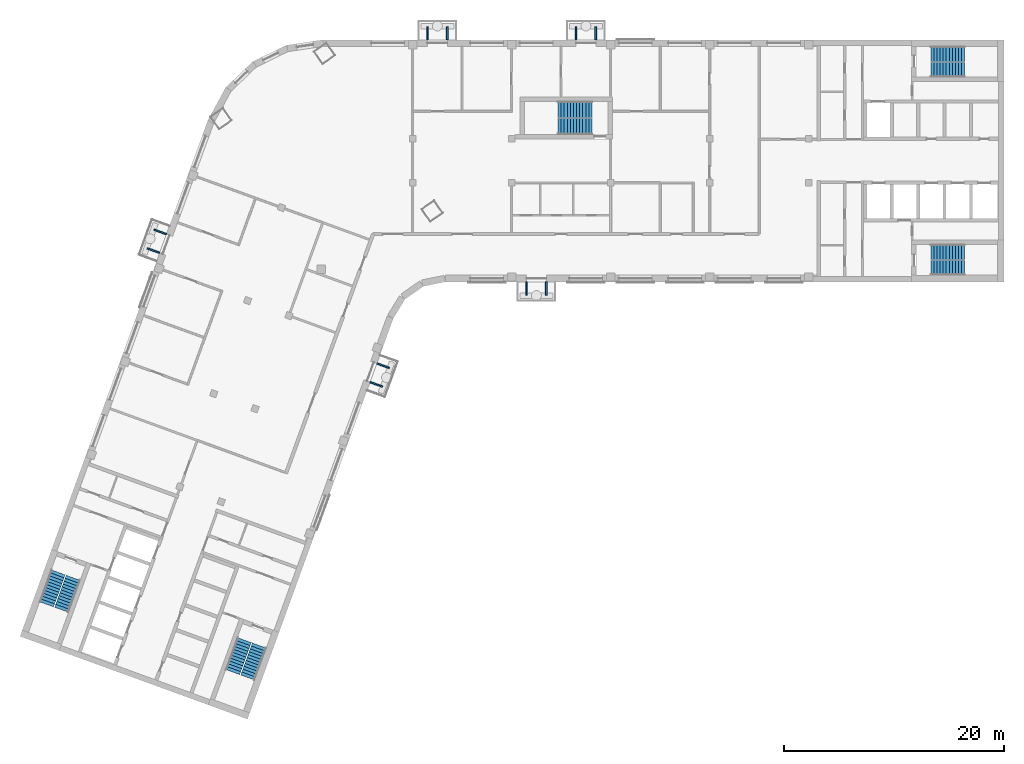
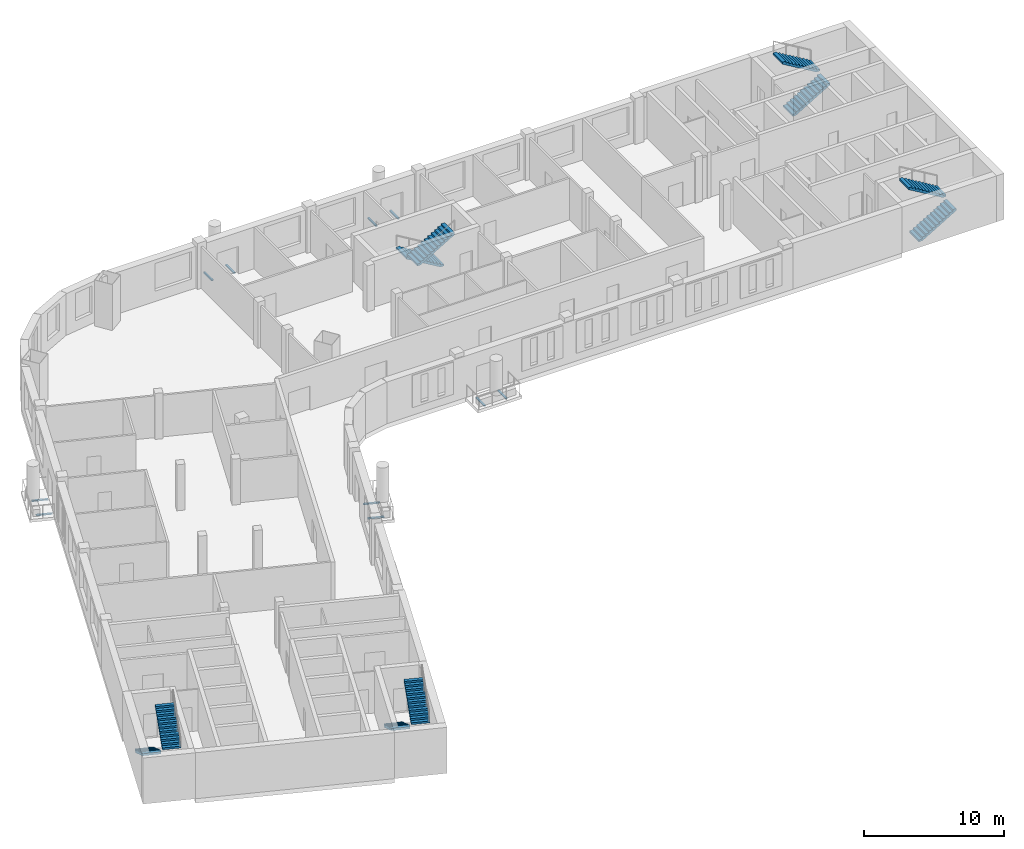
# One storey, part 7 of 10: 10 discrete accessories, 10 stair flights, 5 elements without a shape of their own.
"""IFC4 building model written with IfcOpenShell, lengths in metres."""

import ifcopenshell
import ifcopenshell.guid

model = None  # the IFC model being written
_history = None  # IfcOwnerHistory: only IFC2X3 demands one
_inside = {}  # id of a spatial element -> (the spatial element, [elements in it])
_under = {}  # id of a project, library or spatial element -> (it, [spatial elements below it])
_declared = {}  # id of a project -> (the project, [libraries it declares])
_typed = {}  # id of a type object -> (the type object, [elements of that type])
_made_of = {}  # id of a material, layer set ... -> (it, [elements and type objects made of it])


def new_model(schema):
    """Start an empty IFC model of exactly this schema.

    Asked for "IFC4X3", IfcOpenShell would pick the latest addendum, in which some entities
    have other attributes; the version numbers below select the first issue.
    IFC2X3 requires an IfcOwnerHistory on every rooted entity: one is made here for all.
    """
    global model, _history
    if schema == "IFC4X3":
        model = ifcopenshell.file(schema_version=(4, 3, 0, 0))
    else:
        model = ifcopenshell.file(schema=schema)
    _inside.clear()
    _under.clear()
    _declared.clear()
    _typed.clear()
    _made_of.clear()
    _history = None
    if model.schema == "IFC2X3":
        org = make("IfcOrganization", Name="unknown")
        user = make(
            "IfcPersonAndOrganization",
            ThePerson=make("IfcPerson", FamilyName="unknown"),
            TheOrganization=org,
        )
        app = make(
            "IfcApplication",
            ApplicationDeveloper=org,
            Version="unknown",
            ApplicationFullName="unknown",
            ApplicationIdentifier="unknown",
        )
        _history = make(
            "IfcOwnerHistory",
            OwningUser=user,
            OwningApplication=app,
            ChangeAction="ADDED",
            CreationDate=0,
        )
    return model


def make(cls, **values):
    """One entity of the class cls with the attributes given. An attribute that is None is left unset."""
    return model.create_entity(
        cls, **{name: value for name, value in values.items() if value is not None}
    )


def rooted(cls, **values):
    """An entity with a GlobalId (a new one), such as an element, a storey or a relation."""
    return make(cls, GlobalId=ifcopenshell.guid.new(), OwnerHistory=_history, **values)


def si_unit(unit_type, name, prefix=None):
    """IfcSIUnit, for example si_unit("LENGTHUNIT", "METRE", prefix="MILLI")."""
    return make("IfcSIUnit", UnitType=unit_type, Prefix=prefix, Name=name)


def assignment(units):
    """IfcUnitAssignment: the units of a project."""
    return None if units is None else make("IfcUnitAssignment", Units=units)


def point(xyz):
    """IfcCartesianPoint."""
    return None if xyz is None else make("IfcCartesianPoint", Coordinates=xyz)


def direction(xyz):
    """IfcDirection."""
    return None if xyz is None else make("IfcDirection", DirectionRatios=xyz)


def frame(location, z_axis=None, x_axis=None):
    """IfcAxis2Placement3D, a coordinate frame: its origin and axes. An axis left out is left unset."""
    return make(
        "IfcAxis2Placement3D",
        Location=point(location),
        Axis=direction(z_axis),
        RefDirection=direction(x_axis),
    )


def frame_2d(location, x_axis=None):
    """IfcAxis2Placement2D, a coordinate frame in the plane: its origin and x axis."""
    return make(
        "IfcAxis2Placement2D", Location=point(location), RefDirection=direction(x_axis)
    )


def origin():
    """The frame at (0, 0, 0) with its axes left unset."""
    return frame((0.0, 0.0, 0.0))


def origin_2d():
    """The frame at (0, 0) in the plane with its x axis left unset."""
    return frame_2d((0.0, 0.0))


def place(relative_to, where):
    """IfcLocalPlacement: puts the frame where relative to a parent placement (None: the world)."""
    return make(
        "IfcLocalPlacement", PlacementRelTo=relative_to, RelativePlacement=where
    )


def context(
    kind, dimensions, precision=None, world=None, true_north=None, identifier=None
):
    """IfcGeometricRepresentationContext, for example the 3D "Model" context."""
    return make(
        "IfcGeometricRepresentationContext",
        ContextIdentifier=identifier,
        ContextType=kind,
        CoordinateSpaceDimension=dimensions,
        Precision=precision,
        WorldCoordinateSystem=world,
        TrueNorth=true_north,
    )


def subcontext(parent, identifier, kind, view, scale=None):
    """IfcGeometricRepresentationSubContext, for example "Body" below "Model"."""
    return make(
        "IfcGeometricRepresentationSubContext",
        ContextIdentifier=identifier,
        ContextType=kind,
        ParentContext=parent,
        TargetScale=scale,
        TargetView=view,
    )


def project(units=None, contexts=None):
    """IfcProject with its units and contexts."""
    return rooted(
        "IfcProject",
        Name="project",
        RepresentationContexts=contexts,
        UnitsInContext=assignment(units),
    )


def spatial(cls, under=None, at=None, **own):
    """A site, building, storey or space (cls), placed at a placement, below another one or the project."""
    s = rooted(cls, ObjectPlacement=at, **own)
    if under is not None:
        _under.setdefault(under.id(), (under, []))[1].append(s)
    return s


def polyline(points):
    """IfcPolyline through the points."""
    return make("IfcPolyline", Points=[point(p) for p in points])


def profile(cls, at=None, kind="AREA", **sizes):
    """A parametric profile (cls). Its sizes go by their IFC names, for example OverallWidth=200.0."""
    return make(cls, ProfileType=kind, Position=at, **sizes)


def rectangle(**sizes):
    """IfcRectangleProfileDef."""
    return profile("IfcRectangleProfileDef", **sizes)


def outline(outer, holes=None, kind="AREA"):
    """IfcArbitraryClosedProfileDef: a profile drawn as a closed curve; with holes, ...WithVoids."""
    if holes is None:
        return make("IfcArbitraryClosedProfileDef", ProfileType=kind, OuterCurve=outer)
    return make(
        "IfcArbitraryProfileDefWithVoids",
        ProfileType=kind,
        OuterCurve=outer,
        InnerCurves=holes,
    )


def extrude(swept, where, along, depth):
    """IfcExtrudedAreaSolid: the profile swept, set in the frame where, extruded along a direction by depth."""
    return make(
        "IfcExtrudedAreaSolid",
        SweptArea=swept,
        Position=where,
        ExtrudedDirection=direction(along),
        Depth=depth,
    )


def shape(context_of_items, identifier, shape_type, items):
    """IfcShapeRepresentation: the items that make up one representation, for example the "Body"."""
    return make(
        "IfcShapeRepresentation",
        ContextOfItems=context_of_items,
        RepresentationIdentifier=identifier,
        RepresentationType=shape_type,
        Items=items,
    )


def material(Name=None, Category=None):
    """IfcMaterial."""
    return make("IfcMaterial", Name=Name, Category=Category)


def made_of(thing, what):
    """Note that an element or type object is made of a material, layer set ...; save() writes the relation."""
    if what is not None:
        _made_of.setdefault(what.id(), (what, []))[1].append(thing)
    return thing


def type_object(cls, material=None, **own):
    """A type object (cls), such as IfcWallType, which elements share."""
    return made_of(rooted(cls, **own), material)


def element(
    cls,
    number,
    at=None,
    inside=None,
    cuts=None,
    type_object=None,
    material=None,
    context=None,
    identifier="Body",
    shape_type=None,
    held_by="IfcProductDefinitionShape",
    body=None,
    shapes=None,
    **own,
):
    """One element of the class cls, such as IfcWall. Its Tag is "e" and its number.

    at: its placement. inside: the storey or other place that contains it. cuts: it is an
    opening in that element (IfcRelVoidsElement). A single representation is given by context,
    identifier, shape_type and body (its items); several are given by shapes. held_by: the class
    of the entity that holds the representations. save() writes the other relations.
    """
    e = rooted(cls, Tag="e%d" % number, ObjectPlacement=at, **own)
    if body is not None:
        shapes = [shape(context, identifier, shape_type, body)]
    if shapes is not None:
        e.Representation = make(held_by, Representations=shapes)
    if inside is not None:
        _inside.setdefault(inside.id(), (inside, []))[1].append(e)
    if cuts is not None:
        rooted(
            "IfcRelVoidsElement", RelatingBuildingElement=cuts, RelatedOpeningElement=e
        )
    if type_object is not None:
        _typed.setdefault(type_object.id(), (type_object, []))[1].append(e)
    return made_of(e, material)


def aggregate(whole, parts):
    """IfcRelAggregates: a whole, such as a stair, and the parts it consists of."""
    return rooted("IfcRelAggregates", RelatingObject=whole, RelatedObjects=parts)


def save(model, path):
    """Write the relations noted so far, then the file.

    IfcRelAggregates (storeys below a building ...), IfcRelContainedInSpatialStructure (elements
    in a storey), IfcRelDefinesByType, IfcRelAssociatesMaterial and IfcRelDeclares: one each for
    every whole, place, type object, material and project.
    """
    for whole, parts in _under.values():
        aggregate(whole, parts)
    for where, things in _inside.values():
        rooted(
            "IfcRelContainedInSpatialStructure",
            RelatedElements=things,
            RelatingStructure=where,
        )
    for kind, things in _typed.values():
        rooted("IfcRelDefinesByType", RelatedObjects=things, RelatingType=kind)
    for what, things in _made_of.values():
        rooted("IfcRelAssociatesMaterial", RelatedObjects=things, RelatingMaterial=what)
    for by, libraries in _declared.values():
        rooted("IfcRelDeclares", RelatingContext=by, RelatedDefinitions=libraries)
    model.write(path)


model = new_model("IFC4")

# Units and contexts
model_context = context("Model", 3, precision=1e-05, world=origin(), true_north=direction((0.0, 1.0)))
body_context = subcontext(model_context, "Body", "Model", "MODEL_VIEW")
ifc_project = project(units=[si_unit("LENGTHUNIT", "METRE"), si_unit("AREAUNIT", "SQUARE_METRE"), si_unit("VOLUMEUNIT", "CUBIC_METRE"), si_unit("PLANEANGLEUNIT", "RADIAN"), si_unit("MASSUNIT", "GRAM", prefix="KILO")], contexts=[model_context])

# Site, building, storey
site_placement = place(None, origin())
site = spatial("IfcSite", under=ifc_project, at=site_placement, CompositionType="ELEMENT")
building_placement = place(site_placement, origin())
building = spatial("IfcBuilding", under=site, at=building_placement, Name="Skarvind Civic Tower", CompositionType="ELEMENT")
storey_placement = place(building_placement, frame((0.0, 0.0, 228.0)))
storey = spatial("IfcBuildingStorey", under=building, at=storey_placement, Name="L54", CompositionType="ELEMENT", Elevation=228.0)

# Stair, stair flights
ifc_material = material(Name="Concrete C40/50", Category="concrete")
stair_type_1 = type_object("IfcStairType", Name="Exit stair 1450, half-turn, concrete", PredefinedType="HALF_TURN_STAIR", material=ifc_material)
stair_1_placement = place(storey_placement, origin())
stair_1 = element("IfcStair", 1, at=stair_1_placement, inside=storey, type_object=stair_type_1, Name="Exit stair CM", PredefinedType="HALF_TURN_STAIR")
stair_flight_type_1 = type_object("IfcStairFlightType", Name="Stair flight 1450, concrete", PredefinedType="STRAIGHT", material=ifc_material)
stair_flight_1_placement = place(storey_placement, frame((70.550048828125, 132.675048828125, 0.0), z_axis=(0.0, 0.0, 1.0), x_axis=(-1.0, 0.0, 0.0)))
stair_flight_1 = element("IfcStairFlight", 2, at=stair_flight_1_placement, type_object=stair_flight_type_1, Name="ST-CM flight 1", NumberOfRisers=12, NumberOfTreads=11, PredefinedType="STRAIGHT", RiserHeight=0.166666667, TreadLength=0.28, context=body_context, shape_type="SweptSolid", body=[
    extrude(outline(polyline([(0.0, 0.0), (0.0, 0.166748046875), (0.280029296875, 0.166748046875), (0.280029296875, 0.333251953125), (0.56005859375, 0.333251953125), (0.56005859375, 0.5), (0.840087890625, 0.5), (0.840087890625, 0.666748046875), (1.1201171875, 0.666748046875), (1.1201171875, 0.833251953125), (1.39990234375, 0.833251953125), (1.39990234375, 1.0), (1.679931640625, 1.0), (1.679931640625, 1.166748046875), (1.9599609375, 1.166748046875), (1.9599609375, 1.333251953125), (2.239990234375, 1.333251953125), (2.239990234375, 1.5), (2.52001953125, 1.5), (2.52001953125, 1.666748046875), (2.800048828125, 1.666748046875), (2.800048828125, 1.833251953125), (3.080078125, 1.833251953125), (3.080078125, 2.0), (3.080078125, 1.658935546875), (0.29296875, 0.0), (0.0, 0.0)])), frame((0.0, 0.72509765625, 0.0), z_axis=(0.0, -1.0, 0.0), x_axis=(1.0, 0.0, 0.0)), (0.0, 0.0, 1.0), 1.449951171875),
])
stair_flight_2_placement = place(storey_placement, frame((67.469970703125, 131.125, 2.0), z_axis=(0.0, 0.0, 1.0), x_axis=(1.0, 0.0, 0.0)))
stair_flight_2 = element("IfcStairFlight", 3, at=stair_flight_2_placement, type_object=stair_flight_type_1, Name="ST-CM flight 2", NumberOfRisers=12, NumberOfTreads=11, PredefinedType="STRAIGHT", RiserHeight=0.166666667, TreadLength=0.28, context=body_context, shape_type="SweptSolid", body=[
    extrude(outline(polyline([(0.0, 0.0), (0.0, 0.166748046875), (0.280029296875, 0.166748046875), (0.280029296875, 0.333251953125), (0.56005859375, 0.333251953125), (0.56005859375, 0.5), (0.840087890625, 0.5), (0.840087890625, 0.666748046875), (1.1201171875, 0.666748046875), (1.1201171875, 0.833251953125), (1.39990234375, 0.833251953125), (1.39990234375, 1.0), (1.679931640625, 1.0), (1.679931640625, 1.166748046875), (1.9599609375, 1.166748046875), (1.9599609375, 1.333251953125), (2.239990234375, 1.333251953125), (2.239990234375, 1.5), (2.52001953125, 1.5), (2.52001953125, 1.666748046875), (2.800048828125, 1.666748046875), (2.800048828125, 1.833251953125), (3.080078125, 1.833251953125), (3.080078125, 2.0), (3.080078125, 1.658935546875), (0.29296875, 0.0), (0.0, 0.0)])), frame((0.0, 0.72509765625, 0.0), z_axis=(0.0, -1.0, 0.0), x_axis=(1.0, 0.0, 0.0)), (0.0, 0.0, 1.0), 1.449951171875),
])
aggregate(stair_1, [stair_flight_1, stair_flight_2])

stair_type_2 = type_object("IfcStairType", Name="Exit stair, half-turn, concrete", PredefinedType="HALF_TURN_STAIR", material=ifc_material)
stair_2_placement = place(storey_placement, origin())
stair_2 = element("IfcStair", 4, at=stair_2_placement, inside=storey, type_object=stair_type_2, Name="Exit stair C1S", PredefinedType="HALF_TURN_STAIR")
stair_flight_type_2 = type_object("IfcStairFlightType", Name="Stair flight, concrete", PredefinedType="STRAIGHT", material=ifc_material)
stair_flight_3_placement = place(storey_placement, frame((101.35009765625, 136.27490234375, 0.0), z_axis=(0.0, 0.0, 1.0), x_axis=(1.0, 0.0, 0.0)))
stair_flight_3 = element("IfcStairFlight", 5, at=stair_flight_3_placement, type_object=stair_flight_type_2, Name="ST-C1S flight 1", NumberOfRisers=12, NumberOfTreads=11, PredefinedType="STRAIGHT", RiserHeight=0.166666667, TreadLength=0.28, context=body_context, shape_type="SweptSolid", body=[
    extrude(outline(polyline([(0.0, 0.0), (0.0, 0.166748046875), (0.280029296875, 0.166748046875), (0.280029296875, 0.333251953125), (0.56005859375, 0.333251953125), (0.56005859375, 0.5), (0.840087890625, 0.5), (0.840087890625, 0.666748046875), (1.1201171875, 0.666748046875), (1.1201171875, 0.833251953125), (1.39990234375, 0.833251953125), (1.39990234375, 1.0), (1.679931640625, 1.0), (1.679931640625, 1.166748046875), (1.9599609375, 1.166748046875), (1.9599609375, 1.333251953125), (2.239990234375, 1.333251953125), (2.239990234375, 1.5), (2.52001953125, 1.5), (2.52001953125, 1.666748046875), (2.800048828125, 1.666748046875), (2.800048828125, 1.833251953125), (3.080078125, 1.833251953125), (3.080078125, 2.0), (3.080078125, 1.658935546875), (0.29296875, 0.0), (0.0, 0.0)])), frame((0.0, 0.675048828125, 0.0), z_axis=(0.0, -1.0, 0.0), x_axis=(1.0, 0.0, 0.0)), (0.0, 0.0, 1.0), 1.35009765625),
])
stair_flight_4_placement = place(storey_placement, frame((104.429931640625, 137.72509765625, 2.0), z_axis=(0.0, 0.0, 1.0), x_axis=(-1.0, 0.0, 0.0)))
stair_flight_4 = element("IfcStairFlight", 6, at=stair_flight_4_placement, type_object=stair_flight_type_2, Name="ST-C1S flight 2", NumberOfRisers=12, NumberOfTreads=11, PredefinedType="STRAIGHT", RiserHeight=0.166666667, TreadLength=0.28, context=body_context, shape_type="SweptSolid", body=[
    extrude(outline(polyline([(0.0, 0.0), (0.0, 0.166748046875), (0.280029296875, 0.166748046875), (0.280029296875, 0.333251953125), (0.56005859375, 0.333251953125), (0.56005859375, 0.5), (0.840087890625, 0.5), (0.840087890625, 0.666748046875), (1.1201171875, 0.666748046875), (1.1201171875, 0.833251953125), (1.39990234375, 0.833251953125), (1.39990234375, 1.0), (1.679931640625, 1.0), (1.679931640625, 1.166748046875), (1.9599609375, 1.166748046875), (1.9599609375, 1.333251953125), (2.239990234375, 1.333251953125), (2.239990234375, 1.5), (2.52001953125, 1.5), (2.52001953125, 1.666748046875), (2.800048828125, 1.666748046875), (2.800048828125, 1.833251953125), (3.080078125, 1.833251953125), (3.080078125, 2.0), (3.080078125, 1.658935546875), (0.29296875, 0.0), (0.0, 0.0)])), frame((0.0, 0.675048828125, 0.0), z_axis=(0.0, -1.0, 0.0), x_axis=(1.0, 0.0, 0.0)), (0.0, 0.0, 1.0), 1.35009765625),
])
aggregate(stair_2, [stair_flight_3, stair_flight_4])

stair_3_placement = place(storey_placement, origin())
stair_3 = element("IfcStair", 7, at=stair_3_placement, inside=storey, type_object=stair_type_2, Name="Exit stair C1N", PredefinedType="HALF_TURN_STAIR")
stair_flight_5_placement = place(storey_placement, frame((101.35009765625, 118.27490234375, 0.0), z_axis=(0.0, 0.0, 1.0), x_axis=(1.0, 0.0, 0.0)))
stair_flight_5 = element("IfcStairFlight", 8, at=stair_flight_5_placement, type_object=stair_flight_type_2, Name="ST-C1N flight 1", NumberOfRisers=12, NumberOfTreads=11, PredefinedType="STRAIGHT", RiserHeight=0.166666667, TreadLength=0.28, context=body_context, shape_type="SweptSolid", body=[
    extrude(outline(polyline([(0.0, 0.0), (0.0, 0.166748046875), (0.280029296875, 0.166748046875), (0.280029296875, 0.333251953125), (0.56005859375, 0.333251953125), (0.56005859375, 0.5), (0.840087890625, 0.5), (0.840087890625, 0.666748046875), (1.1201171875, 0.666748046875), (1.1201171875, 0.833251953125), (1.39990234375, 0.833251953125), (1.39990234375, 1.0), (1.679931640625, 1.0), (1.679931640625, 1.166748046875), (1.9599609375, 1.166748046875), (1.9599609375, 1.333251953125), (2.239990234375, 1.333251953125), (2.239990234375, 1.5), (2.52001953125, 1.5), (2.52001953125, 1.666748046875), (2.800048828125, 1.666748046875), (2.800048828125, 1.833251953125), (3.080078125, 1.833251953125), (3.080078125, 2.0), (3.080078125, 1.658935546875), (0.29296875, 0.0), (0.0, 0.0)])), frame((0.0, 0.675048828125, 0.0), z_axis=(0.0, -1.0, 0.0), x_axis=(1.0, 0.0, 0.0)), (0.0, 0.0, 1.0), 1.35009765625),
])
stair_flight_6_placement = place(storey_placement, frame((104.429931640625, 119.72509765625, 2.0), z_axis=(0.0, 0.0, 1.0), x_axis=(-1.0, 0.0, 0.0)))
stair_flight_6 = element("IfcStairFlight", 9, at=stair_flight_6_placement, type_object=stair_flight_type_2, Name="ST-C1N flight 2", NumberOfRisers=12, NumberOfTreads=11, PredefinedType="STRAIGHT", RiserHeight=0.166666667, TreadLength=0.28, context=body_context, shape_type="SweptSolid", body=[
    extrude(outline(polyline([(0.0, 0.0), (0.0, 0.166748046875), (0.280029296875, 0.166748046875), (0.280029296875, 0.333251953125), (0.56005859375, 0.333251953125), (0.56005859375, 0.5), (0.840087890625, 0.5), (0.840087890625, 0.666748046875), (1.1201171875, 0.666748046875), (1.1201171875, 0.833251953125), (1.39990234375, 0.833251953125), (1.39990234375, 1.0), (1.679931640625, 1.0), (1.679931640625, 1.166748046875), (1.9599609375, 1.166748046875), (1.9599609375, 1.333251953125), (2.239990234375, 1.333251953125), (2.239990234375, 1.5), (2.52001953125, 1.5), (2.52001953125, 1.666748046875), (2.800048828125, 1.666748046875), (2.800048828125, 1.833251953125), (3.080078125, 1.833251953125), (3.080078125, 2.0), (3.080078125, 1.658935546875), (0.29296875, 0.0), (0.0, 0.0)])), frame((0.0, 0.675048828125, 0.0), z_axis=(0.0, -1.0, 0.0), x_axis=(1.0, 0.0, 0.0)), (0.0, 0.0, 1.0), 1.35009765625),
])
aggregate(stair_3, [stair_flight_5, stair_flight_6])

stair_4_placement = place(storey_placement, origin())
stair_4 = element("IfcStair", 10, at=stair_4_placement, inside=storey, type_object=stair_type_2, Name="Exit stair C2S", PredefinedType="HALF_TURN_STAIR")
stair_flight_7_placement = place(storey_placement, frame((38.949462890625, 84.43408203125, 0.0), z_axis=(0.0, 0.0, 1.0), x_axis=(-0.342020143326, -0.939692620786, 0.0)))
stair_flight_7 = element("IfcStairFlight", 11, at=stair_flight_7_placement, type_object=stair_flight_type_2, Name="ST-C2S flight 1", NumberOfRisers=12, NumberOfTreads=11, PredefinedType="STRAIGHT", RiserHeight=0.166666667, TreadLength=0.28, context=body_context, shape_type="SweptSolid", body=[
    extrude(outline(polyline([(0.0, 0.0), (0.0, 0.166748046875), (0.280029296875, 0.166748046875), (0.280029296875, 0.333251953125), (0.56005859375, 0.333251953125), (0.56005859375, 0.5), (0.840087890625, 0.5), (0.840087890625, 0.666748046875), (1.1201171875, 0.666748046875), (1.1201171875, 0.833251953125), (1.39990234375, 0.833251953125), (1.39990234375, 1.0), (1.679931640625, 1.0), (1.679931640625, 1.166748046875), (1.9599609375, 1.166748046875), (1.9599609375, 1.333251953125), (2.239990234375, 1.333251953125), (2.239990234375, 1.5), (2.52001953125, 1.5), (2.52001953125, 1.666748046875), (2.800048828125, 1.666748046875), (2.800048828125, 1.833251953125), (3.080078125, 1.833251953125), (3.080078125, 2.0), (3.080078125, 1.658935546875), (0.29296875, 0.0), (0.0, 0.0)])), frame((0.0, 0.675048828125, 0.0), z_axis=(0.0, -1.0, 0.0), x_axis=(1.0, 0.0, 0.0)), (0.0, 0.0, 1.0), 1.35009765625),
])
stair_flight_8_placement = place(storey_placement, frame((39.258544921875, 81.0439453125, 2.0), z_axis=(0.0, 0.0, 1.0), x_axis=(0.342020143326, 0.939692620786, 0.0)))
stair_flight_8 = element("IfcStairFlight", 12, at=stair_flight_8_placement, type_object=stair_flight_type_2, Name="ST-C2S flight 2", NumberOfRisers=12, NumberOfTreads=11, PredefinedType="STRAIGHT", RiserHeight=0.166666667, TreadLength=0.28, context=body_context, shape_type="SweptSolid", body=[
    extrude(outline(polyline([(0.0, 0.0), (0.0, 0.166748046875), (0.280029296875, 0.166748046875), (0.280029296875, 0.333251953125), (0.56005859375, 0.333251953125), (0.56005859375, 0.5), (0.840087890625, 0.5), (0.840087890625, 0.666748046875), (1.1201171875, 0.666748046875), (1.1201171875, 0.833251953125), (1.39990234375, 0.833251953125), (1.39990234375, 1.0), (1.679931640625, 1.0), (1.679931640625, 1.166748046875), (1.9599609375, 1.166748046875), (1.9599609375, 1.333251953125), (2.239990234375, 1.333251953125), (2.239990234375, 1.5), (2.52001953125, 1.5), (2.52001953125, 1.666748046875), (2.800048828125, 1.666748046875), (2.800048828125, 1.833251953125), (3.080078125, 1.833251953125), (3.080078125, 2.0), (3.080078125, 1.658935546875), (0.29296875, 0.0), (0.0, 0.0)])), frame((0.0, 0.675048828125, 0.0), z_axis=(0.0, -1.0, 0.0), x_axis=(1.0, 0.0, 0.0)), (0.0, 0.0, 1.0), 1.35009765625),
])
aggregate(stair_4, [stair_flight_7, stair_flight_8])

stair_5_placement = place(storey_placement, origin())
stair_5 = element("IfcStair", 13, at=stair_5_placement, inside=storey, type_object=stair_type_2, Name="Exit stair C2N", PredefinedType="HALF_TURN_STAIR")
stair_flight_9_placement = place(storey_placement, frame((22.034912109375, 90.590576171875, 0.0), z_axis=(0.0, 0.0, 1.0), x_axis=(-0.342020143326, -0.939692620786, 0.0)))
stair_flight_9 = element("IfcStairFlight", 14, at=stair_flight_9_placement, type_object=stair_flight_type_2, Name="ST-C2N flight 1", NumberOfRisers=12, NumberOfTreads=11, PredefinedType="STRAIGHT", RiserHeight=0.166666667, TreadLength=0.28, context=body_context, shape_type="SweptSolid", body=[
    extrude(outline(polyline([(0.0, 0.0), (0.0, 0.166748046875), (0.280029296875, 0.166748046875), (0.280029296875, 0.333251953125), (0.56005859375, 0.333251953125), (0.56005859375, 0.5), (0.840087890625, 0.5), (0.840087890625, 0.666748046875), (1.1201171875, 0.666748046875), (1.1201171875, 0.833251953125), (1.39990234375, 0.833251953125), (1.39990234375, 1.0), (1.679931640625, 1.0), (1.679931640625, 1.166748046875), (1.9599609375, 1.166748046875), (1.9599609375, 1.333251953125), (2.239990234375, 1.333251953125), (2.239990234375, 1.5), (2.52001953125, 1.5), (2.52001953125, 1.666748046875), (2.800048828125, 1.666748046875), (2.800048828125, 1.833251953125), (3.080078125, 1.833251953125), (3.080078125, 2.0), (3.080078125, 1.658935546875), (0.29296875, 0.0), (0.0, 0.0)])), frame((0.0, 0.675048828125, 0.0), z_axis=(0.0, -1.0, 0.0), x_axis=(1.0, 0.0, 0.0)), (0.0, 0.0, 1.0), 1.35009765625),
])
stair_flight_10_placement = place(storey_placement, frame((22.343994140625, 87.2001953125, 2.0), z_axis=(0.0, 0.0, 1.0), x_axis=(0.342020143326, 0.939692620786, 0.0)))
stair_flight_10 = element("IfcStairFlight", 15, at=stair_flight_10_placement, type_object=stair_flight_type_2, Name="ST-C2N flight 2", NumberOfRisers=12, NumberOfTreads=11, PredefinedType="STRAIGHT", RiserHeight=0.166666667, TreadLength=0.28, context=body_context, shape_type="SweptSolid", body=[
    extrude(outline(polyline([(0.0, 0.0), (0.0, 0.166748046875), (0.280029296875, 0.166748046875), (0.280029296875, 0.333251953125), (0.56005859375, 0.333251953125), (0.56005859375, 0.5), (0.840087890625, 0.5), (0.840087890625, 0.666748046875), (1.1201171875, 0.666748046875), (1.1201171875, 0.833251953125), (1.39990234375, 0.833251953125), (1.39990234375, 1.0), (1.679931640625, 1.0), (1.679931640625, 1.166748046875), (1.9599609375, 1.166748046875), (1.9599609375, 1.333251953125), (2.239990234375, 1.333251953125), (2.239990234375, 1.5), (2.52001953125, 1.5), (2.52001953125, 1.666748046875), (2.800048828125, 1.666748046875), (2.800048828125, 1.833251953125), (3.080078125, 1.833251953125), (3.080078125, 2.0), (3.080078125, 1.658935546875), (0.29296875, 0.0), (0.0, 0.0)])), frame((0.0, 0.675048828125, 0.0), z_axis=(0.0, -1.0, 0.0), x_axis=(1.0, 0.0, 0.0)), (0.0, 0.0, 1.0), 1.35009765625),
])
aggregate(stair_5, [stair_flight_9, stair_flight_10])

# Discrete accessories
for number, where, z_axis, x_axis, name in (
    (16, (51.56494140625, 109.373291015625, -0.35009765625), (0.0, 0.0, 1.0), (-0.342020143326, -0.939692620786, 0.0), "TREE BALCONY BRACKET"),
    (17, (50.94921875, 107.681884765625, -0.35009765625), (0.0, 0.0, 1.0), (-0.342020143326, -0.939692620786, 0.0), "TREE BALCONY BRACKET"),
    (18, (66.39990234375, 116.39990234375, -0.35009765625), (0.0, 0.0, 1.0), (-1.0, 0.0, 0.0), "TREE BALCONY BRACKET"),
    (19, (64.60009765625, 116.39990234375, -0.35009765625), (0.0, 0.0, 1.0), (-1.0, 0.0, 0.0), "TREE BALCONY BRACKET"),
    (20, (55.60009765625, 139.60009765625, -0.35009765625), (0.0, 0.0, 1.0), (1.0, 0.0, 0.0), "TREE BALCONY BRACKET"),
    (21, (57.39990234375, 139.60009765625, -0.35009765625), (0.0, 0.0, 1.0), (1.0, 0.0, 0.0), "TREE BALCONY BRACKET"),
    (22, (69.10009765625, 139.60009765625, -0.35009765625), (0.0, 0.0, 1.0), (1.0, 0.0, 0.0), "TREE BALCONY BRACKET"),
    (23, (70.89990234375, 139.60009765625, -0.35009765625), (0.0, 0.0, 1.0), (1.0, 0.0, 0.0), "TREE BALCONY BRACKET"),
    (24, (30.6875, 119.845458984375, -0.35009765625), (0.0, 0.0, 1.0), (0.342020143326, 0.939692620786, 0.0), "TREE BALCONY BRACKET"),
    (25, (31.30322265625, 121.536865234375, -0.35009765625), (0.0, 0.0, 1.0), (0.342020143326, 0.939692620786, 0.0), "TREE BALCONY BRACKET"),
):
    element("IfcDiscreteAccessory", number, at=place(storey_placement, frame(where, z_axis=z_axis, x_axis=x_axis)), inside=storey, Name=name, PredefinedType="BRACKET", context=body_context, shape_type="SweptSolid", body=[
        extrude(rectangle(XDim=0.14990234375, YDim=1.199951171875, at=origin_2d()), origin(), (0.0, 0.0, 1.0), 0.10009765625),
    ])

save(model, "model.ifc")
